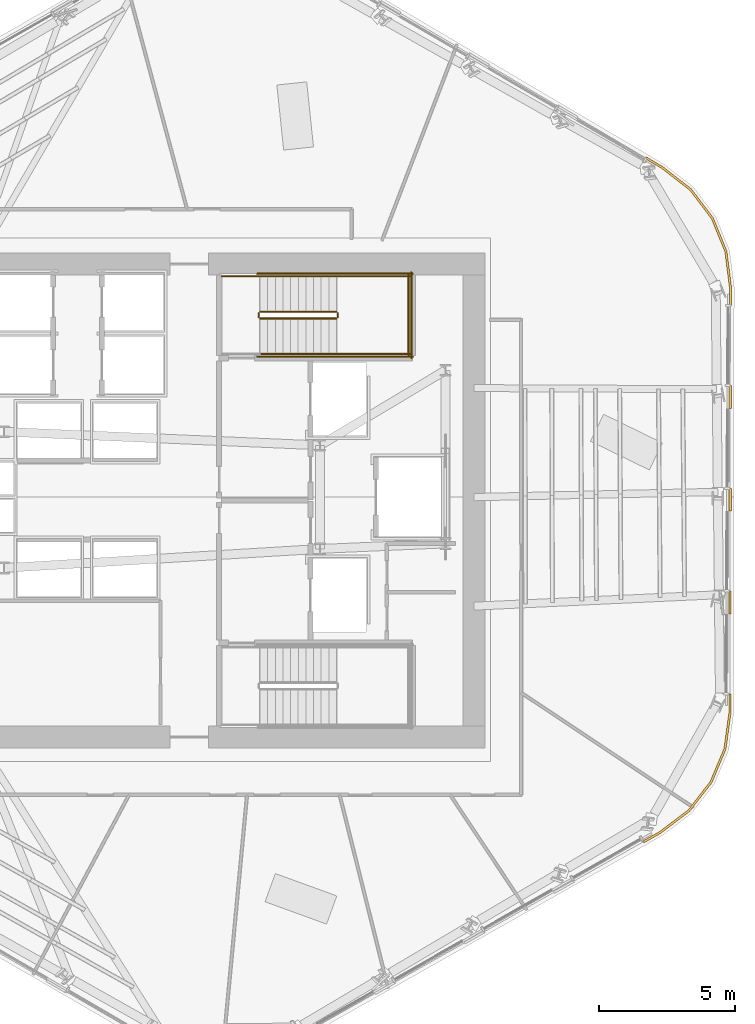
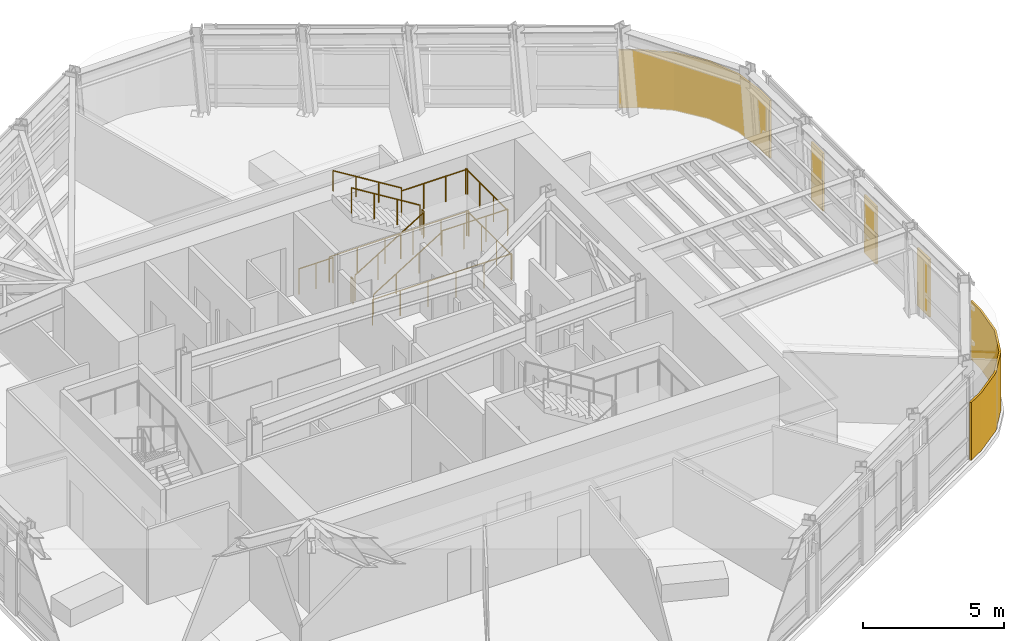
# One storey, part 14 of 16: 13 railings, 5 coverings.
"""IFC4 building model written with IfcOpenShell, lengths in metres."""

import ifcopenshell
import ifcopenshell.guid

model = None  # the IFC model being written
_history = None  # IfcOwnerHistory: only IFC2X3 demands one
_inside = {}  # id of a spatial element -> (the spatial element, [elements in it])
_under = {}  # id of a project, library or spatial element -> (it, [spatial elements below it])
_declared = {}  # id of a project -> (the project, [libraries it declares])
_typed = {}  # id of a type object -> (the type object, [elements of that type])
_made_of = {}  # id of a material, layer set ... -> (it, [elements and type objects made of it])


def new_model(schema):
    """Start an empty IFC model of exactly this schema.

    Asked for "IFC4X3", IfcOpenShell would pick the latest addendum, in which some entities
    have other attributes; the version numbers below select the first issue.
    IFC2X3 requires an IfcOwnerHistory on every rooted entity: one is made here for all.
    """
    global model, _history
    if schema == "IFC4X3":
        model = ifcopenshell.file(schema_version=(4, 3, 0, 0))
    else:
        model = ifcopenshell.file(schema=schema)
    _inside.clear()
    _under.clear()
    _declared.clear()
    _typed.clear()
    _made_of.clear()
    _history = None
    if model.schema == "IFC2X3":
        org = make("IfcOrganization", Name="unknown")
        user = make(
            "IfcPersonAndOrganization",
            ThePerson=make("IfcPerson", FamilyName="unknown"),
            TheOrganization=org,
        )
        app = make(
            "IfcApplication",
            ApplicationDeveloper=org,
            Version="unknown",
            ApplicationFullName="unknown",
            ApplicationIdentifier="unknown",
        )
        _history = make(
            "IfcOwnerHistory",
            OwningUser=user,
            OwningApplication=app,
            ChangeAction="ADDED",
            CreationDate=0,
        )
    return model


def make(cls, **values):
    """One entity of the class cls with the attributes given. An attribute that is None is left unset."""
    return model.create_entity(
        cls, **{name: value for name, value in values.items() if value is not None}
    )


def rooted(cls, **values):
    """An entity with a GlobalId (a new one), such as an element, a storey or a relation."""
    return make(cls, GlobalId=ifcopenshell.guid.new(), OwnerHistory=_history, **values)


def si_unit(unit_type, name, prefix=None):
    """IfcSIUnit, for example si_unit("LENGTHUNIT", "METRE", prefix="MILLI")."""
    return make("IfcSIUnit", UnitType=unit_type, Prefix=prefix, Name=name)


def assignment(units):
    """IfcUnitAssignment: the units of a project."""
    return None if units is None else make("IfcUnitAssignment", Units=units)


def point(xyz):
    """IfcCartesianPoint."""
    return None if xyz is None else make("IfcCartesianPoint", Coordinates=xyz)


def direction(xyz):
    """IfcDirection."""
    return None if xyz is None else make("IfcDirection", DirectionRatios=xyz)


def frame(location, z_axis=None, x_axis=None):
    """IfcAxis2Placement3D, a coordinate frame: its origin and axes. An axis left out is left unset."""
    return make(
        "IfcAxis2Placement3D",
        Location=point(location),
        Axis=direction(z_axis),
        RefDirection=direction(x_axis),
    )


def frame_2d(location, x_axis=None):
    """IfcAxis2Placement2D, a coordinate frame in the plane: its origin and x axis."""
    return make(
        "IfcAxis2Placement2D", Location=point(location), RefDirection=direction(x_axis)
    )


def origin():
    """The frame at (0, 0, 0) with its axes left unset."""
    return frame((0.0, 0.0, 0.0))


def origin_2d():
    """The frame at (0, 0) in the plane with its x axis left unset."""
    return frame_2d((0.0, 0.0))


def place(relative_to, where):
    """IfcLocalPlacement: puts the frame where relative to a parent placement (None: the world)."""
    return make(
        "IfcLocalPlacement", PlacementRelTo=relative_to, RelativePlacement=where
    )


def context(
    kind, dimensions, precision=None, world=None, true_north=None, identifier=None
):
    """IfcGeometricRepresentationContext, for example the 3D "Model" context."""
    return make(
        "IfcGeometricRepresentationContext",
        ContextIdentifier=identifier,
        ContextType=kind,
        CoordinateSpaceDimension=dimensions,
        Precision=precision,
        WorldCoordinateSystem=world,
        TrueNorth=true_north,
    )


def subcontext(parent, identifier, kind, view, scale=None):
    """IfcGeometricRepresentationSubContext, for example "Body" below "Model"."""
    return make(
        "IfcGeometricRepresentationSubContext",
        ContextIdentifier=identifier,
        ContextType=kind,
        ParentContext=parent,
        TargetScale=scale,
        TargetView=view,
    )


def project(units=None, contexts=None):
    """IfcProject with its units and contexts."""
    return rooted(
        "IfcProject",
        Name="project",
        RepresentationContexts=contexts,
        UnitsInContext=assignment(units),
    )


def spatial(cls, under=None, at=None, **own):
    """A site, building, storey or space (cls), placed at a placement, below another one or the project."""
    s = rooted(cls, ObjectPlacement=at, **own)
    if under is not None:
        _under.setdefault(under.id(), (under, []))[1].append(s)
    return s


def polyline(points):
    """IfcPolyline through the points."""
    return make("IfcPolyline", Points=[point(p) for p in points])


def profile(cls, at=None, kind="AREA", **sizes):
    """A parametric profile (cls). Its sizes go by their IFC names, for example OverallWidth=200.0."""
    return make(cls, ProfileType=kind, Position=at, **sizes)


def circle(**sizes):
    """IfcCircleProfileDef."""
    return profile("IfcCircleProfileDef", **sizes)


def outline(outer, holes=None, kind="AREA"):
    """IfcArbitraryClosedProfileDef: a profile drawn as a closed curve; with holes, ...WithVoids."""
    if holes is None:
        return make("IfcArbitraryClosedProfileDef", ProfileType=kind, OuterCurve=outer)
    return make(
        "IfcArbitraryProfileDefWithVoids",
        ProfileType=kind,
        OuterCurve=outer,
        InnerCurves=holes,
    )


def extrude(swept, where, along, depth):
    """IfcExtrudedAreaSolid: the profile swept, set in the frame where, extruded along a direction by depth."""
    return make(
        "IfcExtrudedAreaSolid",
        SweptArea=swept,
        Position=where,
        ExtrudedDirection=direction(along),
        Depth=depth,
    )


def shape(context_of_items, identifier, shape_type, items):
    """IfcShapeRepresentation: the items that make up one representation, for example the "Body"."""
    return make(
        "IfcShapeRepresentation",
        ContextOfItems=context_of_items,
        RepresentationIdentifier=identifier,
        RepresentationType=shape_type,
        Items=items,
    )


def material(Name=None, Category=None):
    """IfcMaterial."""
    return make("IfcMaterial", Name=Name, Category=Category)


def layer(
    of_material, thickness, ventilated=None, Name=None, Category=None, Priority=None
):
    """IfcMaterialLayer: one layer of a wall or slab, of a material (None: an air gap)."""
    return make(
        "IfcMaterialLayer",
        Material=of_material,
        LayerThickness=thickness,
        IsVentilated=ventilated,
        Name=Name,
        Category=Category,
        Priority=Priority,
    )


def layer_set(layers, Name=None):
    """IfcMaterialLayerSet."""
    return make("IfcMaterialLayerSet", MaterialLayers=layers, LayerSetName=Name)


def made_of(thing, what):
    """Note that an element or type object is made of a material, layer set ...; save() writes the relation."""
    if what is not None:
        _made_of.setdefault(what.id(), (what, []))[1].append(thing)
    return thing


def type_object(cls, material=None, **own):
    """A type object (cls), such as IfcWallType, which elements share."""
    return made_of(rooted(cls, **own), material)


def element(
    cls,
    number,
    at=None,
    inside=None,
    cuts=None,
    type_object=None,
    material=None,
    context=None,
    identifier="Body",
    shape_type=None,
    held_by="IfcProductDefinitionShape",
    body=None,
    shapes=None,
    **own,
):
    """One element of the class cls, such as IfcWall. Its Tag is "e" and its number.

    at: its placement. inside: the storey or other place that contains it. cuts: it is an
    opening in that element (IfcRelVoidsElement). A single representation is given by context,
    identifier, shape_type and body (its items); several are given by shapes. held_by: the class
    of the entity that holds the representations. save() writes the other relations.
    """
    e = rooted(cls, Tag="e%d" % number, ObjectPlacement=at, **own)
    if body is not None:
        shapes = [shape(context, identifier, shape_type, body)]
    if shapes is not None:
        e.Representation = make(held_by, Representations=shapes)
    if inside is not None:
        _inside.setdefault(inside.id(), (inside, []))[1].append(e)
    if cuts is not None:
        rooted(
            "IfcRelVoidsElement", RelatingBuildingElement=cuts, RelatedOpeningElement=e
        )
    if type_object is not None:
        _typed.setdefault(type_object.id(), (type_object, []))[1].append(e)
    return made_of(e, material)


def aggregate(whole, parts):
    """IfcRelAggregates: a whole, such as a stair, and the parts it consists of."""
    return rooted("IfcRelAggregates", RelatingObject=whole, RelatedObjects=parts)


def save(model, path):
    """Write the relations noted so far, then the file.

    IfcRelAggregates (storeys below a building ...), IfcRelContainedInSpatialStructure (elements
    in a storey), IfcRelDefinesByType, IfcRelAssociatesMaterial and IfcRelDeclares: one each for
    every whole, place, type object, material and project.
    """
    for whole, parts in _under.values():
        aggregate(whole, parts)
    for where, things in _inside.values():
        rooted(
            "IfcRelContainedInSpatialStructure",
            RelatedElements=things,
            RelatingStructure=where,
        )
    for kind, things in _typed.values():
        rooted("IfcRelDefinesByType", RelatedObjects=things, RelatingType=kind)
    for what, things in _made_of.values():
        rooted("IfcRelAssociatesMaterial", RelatedObjects=things, RelatingMaterial=what)
    for by, libraries in _declared.values():
        rooted("IfcRelDeclares", RelatingContext=by, RelatedDefinitions=libraries)
    model.write(path)


model = new_model("IFC4")

# Units and contexts
model_context = context("Model", 3, precision=1e-05, world=origin(), true_north=direction((0.0, 1.0)))
body_context = subcontext(model_context, "Body", "Model", "MODEL_VIEW")
ifc_project = project(units=[si_unit("LENGTHUNIT", "METRE"), si_unit("AREAUNIT", "SQUARE_METRE"), si_unit("VOLUMEUNIT", "CUBIC_METRE"), si_unit("PLANEANGLEUNIT", "RADIAN"), si_unit("MASSUNIT", "GRAM", prefix="KILO")], contexts=[model_context])

# Site, building, storey
site_placement = place(None, origin())
site = spatial("IfcSite", under=ifc_project, at=site_placement, CompositionType="ELEMENT")
building_placement = place(site_placement, origin())
building = spatial("IfcBuilding", under=site, at=building_placement, Name="Valkerne Bourse Tower", CompositionType="ELEMENT")
storey_placement = place(building_placement, frame((0.0, 0.0, 151.39990234375)))
storey = spatial("IfcBuildingStorey", under=building, at=storey_placement, Name="L38", CompositionType="ELEMENT", Elevation=151.39990234375)

# Coverings
ifc_material_1 = material(Name="Bronze Anodised Aluminium AA 6063-T6", Category="aluminium")
ifc_layer = layer(ifc_material_1, 0.06005859375)
ifc_layer_set = layer_set([ifc_layer], Name="Bronze Anodised Aluminium AA 6063-T6")
covering_type = type_object("IfcCoveringType", Name="COV-CRN-ALUM", PredefinedType="CLADDING", material=ifc_layer_set)
covering_1_placement = place(storey_placement, origin())
element("IfcCovering", 1, at=covering_1_placement, inside=storey, type_object=covering_type, Name="L38 Wind-Shaped Corner Aluminium Cladding 01", PredefinedType="CLADDING", context=body_context, shape_type="SweptSolid", body=[
    extrude(outline(polyline([(65.243896484375, 17.750732421875), (64.72802734375, 16.523681640625), (63.912353515625, 15.4716796875), (62.846923828125, 14.6630859375), (62.233642578125, 14.31640625), (62.194091796875, 14.385986328125), (62.802734375, 14.72998046875), (63.85546875, 15.529052734375), (64.658447265625, 16.564453125), (65.166259765625, 17.772216796875), (65.345458984375, 19.08154296875), (65.346435546875, 19.78076171875), (65.426513671875, 19.780517578125), (65.425537109375, 19.075927734375), (65.243896484375, 17.750732421875)])), origin(), (0.0, 0.0, 1.0), 2.5),
])
covering_2_placement = place(storey_placement, origin())
element("IfcCovering", 2, at=covering_2_placement, inside=storey, type_object=covering_type, Name="L38 Wind-Shaped Corner Aluminium Cladding 21", PredefinedType="CLADDING", context=body_context, shape_type="SweptSolid", body=[
    extrude(outline(polyline([(62.9140625, 39.1337890625), (63.97119140625, 38.313720703125), (64.776123046875, 37.25341796875), (65.279052734375, 36.02099609375), (65.44677734375, 34.693603515625), (65.44580078125, 34.0244140625), (65.36572265625, 34.02490234375), (65.36669921875, 34.6884765625), (65.200927734375, 36.00048828125), (64.7060546875, 37.21337890625), (63.913818359375, 38.2568359375), (62.868896484375, 39.0673828125), (62.29736328125, 39.404296875), (62.337646484375, 39.473388671875), (62.9140625, 39.1337890625)])), origin(), (0.0, 0.0, 1.0), 2.5),
])
covering_3_placement = place(storey_placement, origin())
element("IfcCovering", 3, at=covering_3_placement, inside=storey, type_object=covering_type, Name="L38 Wind-Shaped Corner Aluminium Cladding 22", PredefinedType="CLADDING", context=body_context, shape_type="SweptSolid", body=[
    extrude(outline(polyline([(65.440673828125, 30.25341796875), (65.360595703125, 30.25390625), (65.36181640625, 31.093994140625), (65.44189453125, 31.093505859375), (65.440673828125, 30.25341796875)])), origin(), (0.0, 0.0, 1.0), 2.5),
])
covering_4_placement = place(storey_placement, origin())
element("IfcCovering", 4, at=covering_4_placement, inside=storey, type_object=covering_type, Name="L38 Wind-Shaped Corner Aluminium Cladding 23", PredefinedType="CLADDING", context=body_context, shape_type="SweptSolid", body=[
    extrude(outline(polyline([(65.435546875, 26.482421875), (65.355712890625, 26.48291015625), (65.356689453125, 27.32275390625), (65.436767578125, 27.322509765625), (65.435546875, 26.482421875)])), origin(), (0.0, 0.0, 1.0), 2.5),
])
covering_5_placement = place(storey_placement, origin())
element("IfcCovering", 5, at=covering_5_placement, inside=storey, type_object=covering_type, Name="L38 Wind-Shaped Corner Aluminium Cladding 24", PredefinedType="CLADDING", context=body_context, shape_type="SweptSolid", body=[
    extrude(outline(polyline([(65.430419921875, 22.71142578125), (65.350341796875, 22.7119140625), (65.3515625, 23.5517578125), (65.431640625, 23.551513671875), (65.430419921875, 22.71142578125)])), origin(), (0.0, 0.0, 1.0), 2.5),
])

# Railings
ifc_material_2 = material(Name="Galvanised Painted Steel", Category="steel")
railing_type_1 = type_object("IfcRailingType", Name="RLG-ST-GUARD-1120", PredefinedType="GUARDRAIL", material=ifc_material_2)
railing_1_placement = place(storey_placement, frame((48.14990234375, 33.550048828125, 0.1728515625)))
element("IfcRailing", 6, at=railing_1_placement, inside=storey, type_object=railing_type_1, Name="L38 ST-2 stair guard 1", PredefinedType="GUARDRAIL", context=body_context, shape_type="SweptSolid", body=[
    extrude(circle(Radius=0.02392578125, at=origin_2d()), frame((0.0, 0.0, 1.09619140625), z_axis=(0.851089632645, 0.0, 0.525020415988), x_axis=(0.0, 1.0, 0.0)), (0.0, 0.0, 1.0), 3.2900390625),
    extrude(circle(Radius=0.02099609375, at=origin_2d()), origin(), (0.0, 0.0, 1.0), 1.072021484375),
    extrude(circle(Radius=0.02099609375, at=origin_2d()), frame((0.933349609375, 0.0, 0.57568359375)), (0.0, 0.0, 1.0), 1.072021484375),
    extrude(circle(Radius=0.02099609375, at=origin_2d()), frame((1.86669921875, 0.0, 1.151611328125)), (0.0, 0.0, 1.0), 1.072021484375),
    extrude(circle(Radius=0.02099609375, at=origin_2d()), frame((2.800048828125, 0.0, 1.727294921875)), (0.0, 0.0, 1.0), 1.072021484375),
])
railing_2_placement = place(storey_placement, frame((51.0, 33.60009765625, 1.900146484375)))
element("IfcRailing", 7, at=railing_2_placement, inside=storey, type_object=railing_type_1, Name="L38 ST-2 stair guard 2", PredefinedType="GUARDRAIL", context=body_context, shape_type="SweptSolid", body=[
    extrude(circle(Radius=0.02392578125, at=origin_2d()), frame((0.0, 0.0, 1.09619140625), z_axis=(0.0, 1.0, 0.0), x_axis=(-1.0, 0.0, 0.0)), (0.0, 0.0, 1.0), 0.14990234375),
    extrude(circle(Radius=0.02099609375, at=origin_2d()), origin(), (0.0, 0.0, 1.0), 1.072021484375),
    extrude(circle(Radius=0.02099609375, at=origin_2d()), frame((0.0, 0.14990234375, 0.0)), (0.0, 0.0, 1.0), 1.072021484375),
])
for number, where, name in (
    (8, (50.949951171875, 32.25, 1.900146484375), "L38 ST-2 stair guard 3"),
    (9, (50.949951171875, 35.10009765625, 1.900146484375), "L38 ST-2 stair guard 4"),
):
    element("IfcRailing", number, at=place(storey_placement, frame(where)), inside=storey, type_object=railing_type_1, Name=name, PredefinedType="GUARDRAIL", context=body_context, shape_type="SweptSolid", body=[
        extrude(circle(Radius=0.02392578125, at=origin_2d()), frame((0.0, 0.0, 1.09619140625), z_axis=(1.0, 0.0, 0.0), x_axis=(0.0, 1.0, 0.0)), (0.0, 0.0, 1.0), 2.699951171875),
        extrude(circle(Radius=0.02099609375, at=origin_2d()), origin(), (0.0, 0.0, 1.0), 1.072021484375),
        extrude(circle(Radius=0.02099609375, at=origin_2d()), frame((0.89990234375, 0.0, 0.0)), (0.0, 0.0, 1.0), 1.072021484375),
        extrude(circle(Radius=0.02099609375, at=origin_2d()), frame((1.800048828125, 0.0, 0.0)), (0.0, 0.0, 1.0), 1.072021484375),
        extrude(circle(Radius=0.02099609375, at=origin_2d()), frame((2.699951171875, 0.0, 0.0)), (0.0, 0.0, 1.0), 1.072021484375),
    ])
railing_3_placement = place(storey_placement, frame((53.60009765625, 32.199951171875, 1.900146484375)))
element("IfcRailing", 10, at=railing_3_placement, inside=storey, type_object=railing_type_1, Name="L38 ST-2 stair guard 5", PredefinedType="GUARDRAIL", context=body_context, shape_type="SweptSolid", body=[
    extrude(circle(Radius=0.02392578125, at=origin_2d()), frame((0.0, 0.0, 1.09619140625), z_axis=(0.0, 1.0, 0.0), x_axis=(-1.0, 0.0, 0.0)), (0.0, 0.0, 1.0), 2.949951171875),
    extrude(circle(Radius=0.02099609375, at=origin_2d()), origin(), (0.0, 0.0, 1.0), 1.072021484375),
    extrude(circle(Radius=0.02099609375, at=origin_2d()), frame((0.0, 0.9833984375, 0.0)), (0.0, 0.0, 1.0), 1.072021484375),
    extrude(circle(Radius=0.02099609375, at=origin_2d()), frame((0.0, 1.966552734375, 0.0)), (0.0, 0.0, 1.0), 1.072021484375),
    extrude(circle(Radius=0.02099609375, at=origin_2d()), frame((0.0, 2.949951171875, 0.0)), (0.0, 0.0, 1.0), 1.072021484375),
])
railing_4_placement = place(storey_placement, frame((50.949951171875, 33.800048828125, 2.07275390625)))
element("IfcRailing", 11, at=railing_4_placement, inside=storey, type_object=railing_type_1, Name="L38 ST-2 stair guard 6", PredefinedType="GUARDRAIL", context=body_context, shape_type="SweptSolid", body=[
    extrude(circle(Radius=0.02392578125, at=origin_2d()), frame((0.0, 0.0, 1.09619140625), z_axis=(-0.851089632645, 0.0, 0.525020415988), x_axis=(0.0, -1.0, 0.0)), (0.0, 0.0, 1.0), 3.2900390625),
    extrude(circle(Radius=0.02099609375, at=origin_2d()), origin(), (0.0, 0.0, 1.0), 1.072021484375),
    extrude(circle(Radius=0.02099609375, at=origin_2d()), frame((-0.933349609375, 0.0, 0.57568359375)), (0.0, 0.0, 1.0), 1.072021484375),
    extrude(circle(Radius=0.02099609375, at=origin_2d()), frame((-1.86669921875, 0.0, 1.151611328125)), (0.0, 0.0, 1.0), 1.072021484375),
    extrude(circle(Radius=0.02099609375, at=origin_2d()), frame((-2.800048828125, 0.0, 1.727294921875)), (0.0, 0.0, 1.0), 1.072021484375),
])
railing_5_placement = place(storey_placement, frame((48.10009765625, 33.60009765625, 0.0)))
element("IfcRailing", 12, at=railing_5_placement, inside=storey, type_object=railing_type_1, Name="L38 ST-2 stair guard 7", PredefinedType="GUARDRAIL", context=body_context, shape_type="SweptSolid", body=[
    extrude(circle(Radius=0.02392578125, at=origin_2d()), frame((0.0, 0.0, 1.09619140625), z_axis=(0.0, 1.0, 0.0), x_axis=(-1.0, 0.0, 0.0)), (0.0, 0.0, 1.0), 0.14990234375),
    extrude(circle(Radius=0.02099609375, at=origin_2d()), origin(), (0.0, 0.0, 1.0), 1.072021484375),
    extrude(circle(Radius=0.02099609375, at=origin_2d()), frame((0.0, 0.14990234375, 0.0)), (0.0, 0.0, 1.0), 1.072021484375),
])
railing_6_placement = place(storey_placement, frame((46.75, 35.10009765625, 0.0)))
element("IfcRailing", 13, at=railing_6_placement, inside=storey, type_object=railing_type_1, Name="L38 ST-2 stair guard 9", PredefinedType="GUARDRAIL", context=body_context, shape_type="SweptSolid", body=[
    extrude(circle(Radius=0.02392578125, at=origin_2d()), frame((0.0, 0.0, 1.09619140625), z_axis=(1.0, 0.0, 0.0), x_axis=(0.0, 1.0, 0.0)), (0.0, 0.0, 1.0), 1.39990234375),
    extrude(circle(Radius=0.02099609375, at=origin_2d()), origin(), (0.0, 0.0, 1.0), 1.072021484375),
    extrude(circle(Radius=0.02099609375, at=origin_2d()), frame((0.699951171875, 0.0, 0.0)), (0.0, 0.0, 1.0), 1.072021484375),
    extrude(circle(Radius=0.02099609375, at=origin_2d()), frame((1.39990234375, 0.0, 0.0)), (0.0, 0.0, 1.0), 1.072021484375),
])
for number, where, name in (
    (14, (48.050048828125, 32.14990234375, 0.0), "L38 ST-2 stair guard 10"),
    (15, (48.050048828125, 35.199951171875, 0.0), "L38 ST-2 stair guard 11"),
):
    element("IfcRailing", number, at=place(storey_placement, frame(where)), inside=storey, type_object=railing_type_1, Name=name, PredefinedType="GUARDRAIL", context=body_context, shape_type="SweptSolid", body=[
        extrude(circle(Radius=0.02392578125, at=origin_2d()), frame((0.0, 0.0, 1.09619140625), z_axis=(1.0, 0.0, 0.0), x_axis=(0.0, 1.0, 0.0)), (0.0, 0.0, 1.0), 5.699951171875),
        extrude(circle(Radius=0.02099609375, at=origin_2d()), origin(), (0.0, 0.0, 1.0), 1.072021484375),
        extrude(circle(Radius=0.02099609375, at=origin_2d()), frame((1.139892578125, 0.0, 0.0)), (0.0, 0.0, 1.0), 1.072021484375),
        extrude(circle(Radius=0.02099609375, at=origin_2d()), frame((2.280029296875, 0.0, 0.0)), (0.0, 0.0, 1.0), 1.072021484375),
        extrude(circle(Radius=0.02099609375, at=origin_2d()), frame((3.419921875, 0.0, 0.0)), (0.0, 0.0, 1.0), 1.072021484375),
        extrude(circle(Radius=0.02099609375, at=origin_2d()), frame((4.56005859375, 0.0, 0.0)), (0.0, 0.0, 1.0), 1.072021484375),
        extrude(circle(Radius=0.02099609375, at=origin_2d()), frame((5.699951171875, 0.0, 0.0)), (0.0, 0.0, 1.0), 1.072021484375),
    ])
railing_7_placement = place(storey_placement, frame((53.699951171875, 32.10009765625, 0.0)))
element("IfcRailing", 16, at=railing_7_placement, inside=storey, type_object=railing_type_1, Name="L38 ST-2 stair guard 12", PredefinedType="GUARDRAIL", context=body_context, shape_type="SweptSolid", body=[
    extrude(circle(Radius=0.02392578125, at=origin_2d()), frame((0.0, 0.0, 1.09619140625), z_axis=(0.0, 1.0, 0.0), x_axis=(-1.0, 0.0, 0.0)), (0.0, 0.0, 1.0), 3.14990234375),
    extrude(circle(Radius=0.02099609375, at=origin_2d()), origin(), (0.0, 0.0, 1.0), 1.072021484375),
    extrude(circle(Radius=0.02099609375, at=origin_2d()), frame((0.0, 1.050048828125, 0.0)), (0.0, 0.0, 1.0), 1.072021484375),
    extrude(circle(Radius=0.02099609375, at=origin_2d()), frame((0.0, 2.099853515625, 0.0)), (0.0, 0.0, 1.0), 1.072021484375),
    extrude(circle(Radius=0.02099609375, at=origin_2d()), frame((0.0, 3.14990234375, 0.0)), (0.0, 0.0, 1.0), 1.072021484375),
])
ifc_material_3 = material(Name="Stainless Steel AISI 316", Category="steel")
railing_type_2 = type_object("IfcRailingType", Name="RLG-ST-HANDRAIL-900", PredefinedType="HANDRAIL", material=ifc_material_3)
railing_8_placement = place(storey_placement, frame((48.14990234375, 32.25, 0.345458984375)))
element("IfcRailing", 17, at=railing_8_placement, inside=storey, type_object=railing_type_2, Name="L38 ST-2 stair handrail 1", PredefinedType="HANDRAIL", context=body_context, shape_type="SweptSolid", body=[
    extrude(circle(Radius=0.02392578125, at=origin_2d()), frame((0.0, 0.0, 0.8759765625), z_axis=(0.851089632645, 0.0, 0.525020415988), x_axis=(0.0, 1.0, 0.0)), (0.0, 0.0, 1.0), 3.2900390625),
    extrude(circle(Radius=0.02099609375, at=origin_2d()), origin(), (0.0, 0.0, 1.0), 0.851806640625),
    extrude(circle(Radius=0.02099609375, at=origin_2d()), frame((0.933349609375, 0.0, 0.57568359375)), (0.0, 0.0, 1.0), 0.851806640625),
    extrude(circle(Radius=0.02099609375, at=origin_2d()), frame((1.86669921875, 0.0, 1.151611328125)), (0.0, 0.0, 1.0), 0.851806640625),
    extrude(circle(Radius=0.02099609375, at=origin_2d()), frame((2.800048828125, 0.0, 1.727294921875)), (0.0, 0.0, 1.0), 0.851806640625),
])
railing_9_placement = place(storey_placement, frame((50.949951171875, 35.10009765625, 2.24560546875)))
element("IfcRailing", 18, at=railing_9_placement, inside=storey, type_object=railing_type_2, Name="L38 ST-2 stair handrail 2", PredefinedType="HANDRAIL", context=body_context, shape_type="SweptSolid", body=[
    extrude(circle(Radius=0.02392578125, at=origin_2d()), frame((0.0, 0.0, 0.8759765625), z_axis=(-0.851089632645, 0.0, 0.525020415988), x_axis=(0.0, -1.0, 0.0)), (0.0, 0.0, 1.0), 3.2900390625),
    extrude(circle(Radius=0.02099609375, at=origin_2d()), origin(), (0.0, 0.0, 1.0), 0.851806640625),
    extrude(circle(Radius=0.02099609375, at=origin_2d()), frame((-0.933349609375, 0.0, 0.57568359375)), (0.0, 0.0, 1.0), 0.851806640625),
    extrude(circle(Radius=0.02099609375, at=origin_2d()), frame((-1.86669921875, 0.0, 1.151611328125)), (0.0, 0.0, 1.0), 0.851806640625),
    extrude(circle(Radius=0.02099609375, at=origin_2d()), frame((-2.800048828125, 0.0, 1.727294921875)), (0.0, 0.0, 1.0), 0.851806640625),
])

save(model, "model.ifc")
